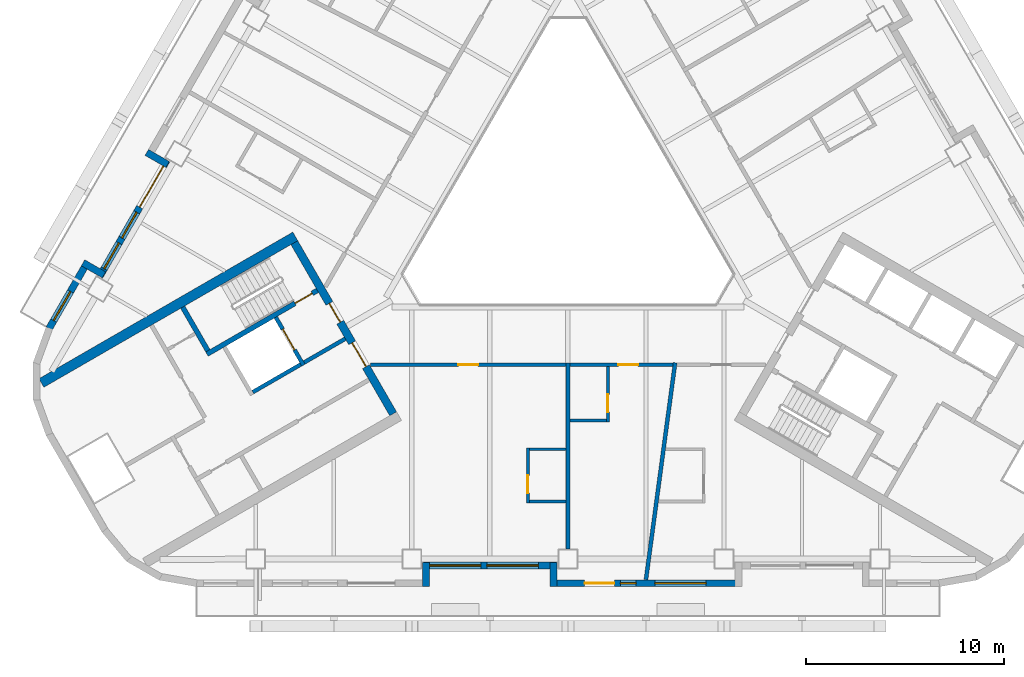
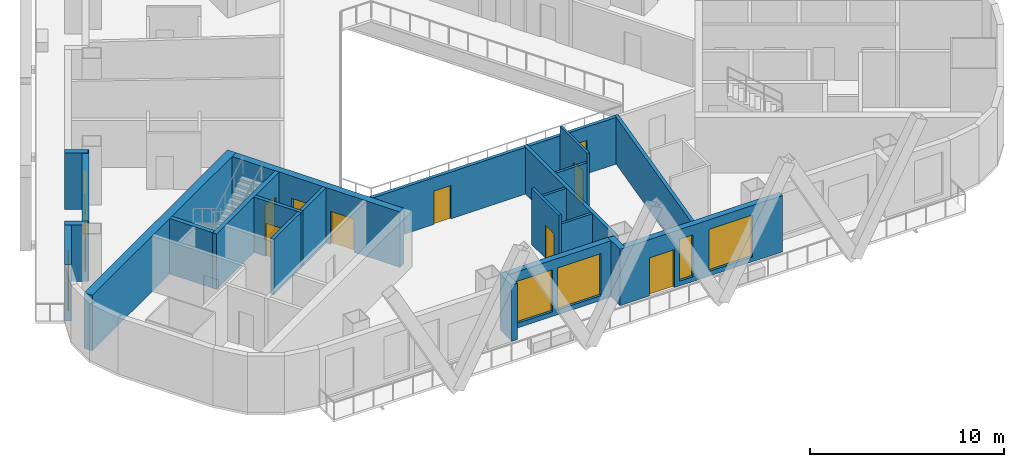
# One storey, part 3 of 13: 24 walls, 10 doors, 7 windows, 17 openings.
"""IFC4 building model written with IfcOpenShell, lengths in metres."""

from ifc_helpers import new_model, si_unit, direction, frame, frame_2d, origin, place, context, subcontext, project, spatial, rectangle, extrude, material, layer, layer_set, type_object, element, fill, save


model = new_model("IFC4")

# Units and contexts
model_context = context("Model", 3, precision=1e-05, world=origin(), true_north=direction((0.0, 1.0)))
body_context = subcontext(model_context, "Body", "Model", "MODEL_VIEW")
ifc_project = project(units=[si_unit("LENGTHUNIT", "METRE"), si_unit("AREAUNIT", "SQUARE_METRE"), si_unit("VOLUMEUNIT", "CUBIC_METRE"), si_unit("PLANEANGLEUNIT", "RADIAN"), si_unit("MASSUNIT", "GRAM", prefix="KILO")], contexts=[model_context])

# Site, building, storey
site_placement = place(None, origin())
site = spatial("IfcSite", under=ifc_project, at=site_placement, CompositionType="ELEMENT")
building_placement = place(site_placement, origin())
building = spatial("IfcBuilding", under=site, at=building_placement, Name="Apuvela Tower Hotel", CompositionType="ELEMENT")
storey_placement = place(building_placement, frame((0.0, 0.0, 68.699951171875)))
storey = spatial("IfcBuildingStorey", under=building, at=storey_placement, Name="L14", CompositionType="ELEMENT", Elevation=68.699951171875)

# Wall, openings, doors
ifc_material_1 = material(Name="Concrete C50/60", Category="concrete")
ifc_layer_1 = layer(ifc_material_1, 0.39990234375)
ifc_layer_set_1 = layer_set([ifc_layer_1], Name="COR-WALL-CORE-400")
wall_type_1 = type_object("IfcWallType", Name="COR-WALL-CORE-400", PredefinedType="SHEAR", material=ifc_layer_set_1)
wall_1_placement = place(storey_placement, frame((-13.844970703125, -2.219970703125, 0.0), z_axis=(0.0, 0.0, 1.0), x_axis=(0.500004234368, -0.866022959057, 0.0)))
wall_1 = element("IfcWall", 1, at=wall_1_placement, inside=storey, type_object=wall_type_1, Name="Core wall SW", PredefinedType="SHEAR", context=body_context, shape_type="SweptSolid", body=[
    extrude(rectangle(XDim=10.0, YDim=0.39990234375, at=frame_2d((5.0, 0.0))), origin(), (0.0, 0.0, 1.0), 3.5),
])
opening_1_placement = place(wall_1_placement, frame((3.550048828125, 0.0, 0.0)))
opening_1 = element("IfcOpeningElement", 2, at=opening_1_placement, cuts=wall_1, Name="Opening W-FD", PredefinedType="OPENING", context=body_context, shape_type="SweptSolid", body=[
    extrude(rectangle(XDim=1.10009765625, YDim=2.10009765625, at=frame_2d((0.550048828125, 1.050048828125))), frame((0.0, 0.2099609375, 0.0), z_axis=(0.0, -1.0, 0.0), x_axis=(1.0, 0.0, 0.0)), (0.0, 0.0, 1.0), 0.419921875),
])
opening_2_placement = place(wall_1_placement, frame((5.85009765625, 0.0, 0.0)))
opening_2 = element("IfcOpeningElement", 3, at=opening_2_placement, cuts=wall_1, Name="Opening W-GD", PredefinedType="OPENING", context=body_context, shape_type="SweptSolid", body=[
    extrude(rectangle(XDim=1.39990234375, YDim=2.10009765625, at=frame_2d((0.699951171875, 1.050048828125))), frame((0.0, 0.2099609375, 0.0), z_axis=(0.0, -1.0, 0.0), x_axis=(1.0, 0.0, 0.0)), (0.0, 0.0, 1.0), 0.419921875),
])
ifc_material_2 = material(Name="Steel fire door, powder coated", Category="steel")
door_type_1 = type_object("IfcDoorType", Name="COR-FD-1100", OperationType="NOTDEFINED", PredefinedType="DOOR", material=ifc_material_2)
door_1_placement = place(opening_1_placement, frame((1.10009765625, 0.0, 0.0), z_axis=(0.0, 0.0, 1.0), x_axis=(-1.0, 0.0, 0.0)))
door_1 = element("IfcDoor", 4, at=door_1_placement, inside=storey, type_object=door_type_1, Name="Firefighting lobby door W-FD", OperationType="SINGLE_SWING_LEFT", OverallHeight=2.10009765625, OverallWidth=1.10009765625, PredefinedType="DOOR", context=body_context, shape_type="SweptSolid", body=[
    extrude(rectangle(XDim=1.10009765625, YDim=2.10009765625, at=frame_2d((0.550048828125, 1.050048828125))), frame((0.0, 0.02490234375, 0.0), z_axis=(0.0, -1.0, 0.0), x_axis=(1.0, 0.0, 0.0)), (0.0, 0.0, 1.0), 0.050048828125),
])
fill(opening_1, door_1)
ifc_material_3 = material(Name="Glazed steel fire door", Category="steel")
door_type_2 = type_object("IfcDoorType", Name="COR-GD-1400", OperationType="DOUBLE_DOOR_SINGLE_SWING", PredefinedType="DOOR", material=ifc_material_3)
door_2_placement = place(opening_2_placement, frame((1.39990234375, 0.0, 0.0), z_axis=(0.0, 0.0, 1.0), x_axis=(-1.0, 0.0, 0.0)))
door_2 = element("IfcDoor", 5, at=door_2_placement, inside=storey, type_object=door_type_2, Name="Lift lobby door W-GD", OperationType="DOUBLE_DOOR_SINGLE_SWING", OverallHeight=2.10009765625, OverallWidth=1.39990234375, PredefinedType="DOOR", context=body_context, shape_type="SweptSolid", body=[
    extrude(rectangle(XDim=1.39990234375, YDim=2.10009765625, at=frame_2d((0.699951171875, 1.050048828125))), frame((0.0, 0.02490234375, 0.0), z_axis=(0.0, -1.0, 0.0), x_axis=(1.0, 0.0, 0.0)), (0.0, 0.0, 1.0), 0.050048828125),
])
fill(opening_2, door_2)

# Wall
ifc_layer_2 = layer(ifc_material_1, 0.5)
ifc_layer_set_2 = layer_set([ifc_layer_2], Name="COR-WALL-CORE-500")
wall_type_2 = type_object("IfcWallType", Name="COR-WALL-CORE-500", PredefinedType="SHEAR", material=ifc_layer_set_2)
wall_2_placement = place(storey_placement, frame((-13.796630859375, -1.9033203125, 0.0), z_axis=(0.0, 0.0, 1.0), x_axis=(-0.866025009528, -0.500000682871, 0.0)))
element("IfcWall", 6, at=wall_2_placement, inside=storey, type_object=wall_type_2, Name="Core wall SW", PredefinedType="SHEAR", context=body_context, shape_type="SweptSolid", body=[
    extrude(rectangle(XDim=14.8369140625, YDim=0.5, at=frame_2d((7.41845703125, 0.0))), origin(), (0.0, 0.0, 1.0), 3.5),
])

# Wall, opening, door
ifc_layer_3 = layer(ifc_material_1, 0.199951171875)
ifc_layer_set_3 = layer_set([ifc_layer_3], Name="COR-WALL-SHAFT-200")
wall_type_3 = type_object("IfcWallType", Name="COR-WALL-SHAFT-200", PredefinedType="SHEAR", material=ifc_layer_set_3)
wall_3_placement = place(storey_placement, frame((-14.783203125, -5.99462890625, 0.0), z_axis=(0.0, 0.0, 1.0), x_axis=(0.49994636267, -0.866056369097, 0.0)))
wall_3 = element("IfcWall", 7, at=wall_3_placement, inside=storey, type_object=wall_type_3, Name="Shaft wall SW", PredefinedType="SHEAR", context=body_context, shape_type="SweptSolid", body=[
    extrude(rectangle(XDim=2.800048828125, YDim=0.199951171875, at=frame_2d((1.39990234375, 0.0))), origin(), (0.0, 0.0, 1.0), 3.5),
])
opening_3_placement = place(wall_3_placement, frame((0.699951171875, 0.0, 0.0)))
opening_3 = element("IfcOpeningElement", 8, at=opening_3_placement, cuts=wall_3, Name="Opening W-LD-FS2", PredefinedType="OPENING", context=body_context, shape_type="SweptSolid", body=[
    extrude(rectangle(XDim=1.199951171875, YDim=2.10009765625, at=frame_2d((0.60009765625, 1.050048828125))), frame((0.0, 0.10986328125, 0.0), z_axis=(0.0, -1.0, 0.0), x_axis=(1.0, 0.0, 0.0)), (0.0, 0.0, 1.0), 0.219970703125),
])
ifc_material_4 = material(Name="Stainless steel lift landing door", Category="steel")
door_type_3 = type_object("IfcDoorType", Name="COR-LD-1200", OperationType="DOUBLE_DOOR_SLIDING", PredefinedType="DOOR", material=ifc_material_4)
door_3_placement = place(opening_3_placement, origin())
door_3 = element("IfcDoor", 9, at=door_3_placement, inside=storey, type_object=door_type_3, Name="Lift landing door W-LD-FS2", OperationType="DOUBLE_DOOR_SLIDING", OverallHeight=2.10009765625, OverallWidth=1.199951171875, PredefinedType="DOOR", context=body_context, shape_type="SweptSolid", body=[
    extrude(rectangle(XDim=1.199951171875, YDim=2.10009765625, at=frame_2d((0.60009765625, 1.050048828125))), frame((0.0, 0.02490234375, 0.0), z_axis=(0.0, -1.0, 0.0), x_axis=(1.0, 0.0, 0.0)), (0.0, 0.0, 1.0), 0.050048828125),
])
fill(opening_3, door_3)

# Walls
wall_4_placement = place(storey_placement, frame((-13.519775390625, -8.383056640625, 0.0), z_axis=(0.0, 0.0, 1.0), x_axis=(-0.866034573852, -0.49998411664, 0.0)))
element("IfcWall", 10, at=wall_4_placement, inside=storey, type_object=wall_type_3, Name="Shaft wall SW", PredefinedType="SHEAR", context=body_context, shape_type="SweptSolid", body=[
    extrude(rectangle(XDim=2.7998046875, YDim=0.199951171875, at=frame_2d((1.39990234375, 0.0))), origin(), (0.0, 0.0, 1.0), 3.5),
])
wall_5_placement = place(storey_placement, frame((-11.26806640625, -7.0830078125, 0.0), z_axis=(0.0, 0.0, 1.0), x_axis=(-0.866050077142, -0.499957262057, 0.0)))
element("IfcWall", 11, at=wall_5_placement, inside=storey, type_object=wall_type_3, Name="Shaft wall SW", PredefinedType="SHEAR", context=body_context, shape_type="SweptSolid", body=[
    extrude(rectangle(XDim=2.400146484375, YDim=0.199951171875, at=frame_2d((1.2001953125, 0.0))), origin(), (0.0, 0.0, 1.0), 3.5),
])

# Wall, opening, door
ifc_layer_4 = layer(ifc_material_1, 0.25)
ifc_layer_set_4 = layer_set([ifc_layer_4], Name="COR-WALL-STAIR-250")
wall_type_4 = type_object("IfcWallType", Name="COR-WALL-STAIR-250", PredefinedType="SHEAR", material=ifc_layer_set_4)
wall_6_placement = place(storey_placement, frame((-12.6806640625, -4.636474609375, 0.0), z_axis=(0.0, 0.0, 1.0), x_axis=(-0.866021702275, -0.500006411147, 0.0)))
wall_6 = element("IfcWall", 12, at=wall_6_placement, inside=storey, type_object=wall_type_4, Name="Stair wall SW", PredefinedType="SHEAR", context=body_context, shape_type="SweptSolid", body=[
    extrude(rectangle(XDim=6.4501953125, YDim=0.25, at=frame_2d((3.22509765625, 0.0))), origin(), (0.0, 0.0, 1.0), 3.5),
])
opening_4_placement = place(wall_6_placement, frame((0.300048828125, 0.0, 0.0)))
opening_4 = element("IfcOpeningElement", 13, at=opening_4_placement, cuts=wall_6, Name="Opening W-SD", PredefinedType="OPENING", context=body_context, shape_type="SweptSolid", body=[
    extrude(rectangle(XDim=1.0, YDim=2.10009765625, at=frame_2d((0.5, 1.050048828125))), frame((0.0, 0.135009765625, 0.0), z_axis=(0.0, -1.0, 0.0), x_axis=(1.0, 0.0, 0.0)), (0.0, 0.0, 1.0), 0.27001953125),
])
door_type_4 = type_object("IfcDoorType", Name="COR-SD-1000", OperationType="NOTDEFINED", PredefinedType="DOOR", material=ifc_material_2)
door_4_placement = place(opening_4_placement, frame((1.0, 0.0, 0.0), z_axis=(0.0, 0.0, 1.0), x_axis=(-1.0, 0.0, 0.0)))
door_4 = element("IfcDoor", 14, at=door_4_placement, inside=storey, type_object=door_type_4, Name="Stair door W-SD", OperationType="SINGLE_SWING_LEFT", OverallHeight=2.10009765625, OverallWidth=1.0, PredefinedType="DOOR", context=body_context, shape_type="SweptSolid", body=[
    extrude(rectangle(XDim=1.0, YDim=2.10009765625, at=frame_2d((0.5, 1.050048828125))), frame((0.0, 0.02490234375, 0.0), z_axis=(0.0, -1.0, 0.0), x_axis=(1.0, 0.0, 0.0)), (0.0, 0.0, 1.0), 0.050048828125),
])
fill(opening_4, door_4)

# Walls
wall_7_placement = place(storey_placement, frame((-19.49560546875, -5.482421875, 0.0), z_axis=(0.0, 0.0, 1.0), x_axis=(0.499990435942, -0.866030925526, 0.0)))
element("IfcWall", 15, at=wall_7_placement, inside=storey, type_object=wall_type_4, Name="Stair wall SW", PredefinedType="SHEAR", context=body_context, shape_type="SweptSolid", body=[
    extrude(rectangle(XDim=2.5498046875, YDim=0.25, at=frame_2d((1.27490234375, 0.0))), origin(), (0.0, 0.0, 1.0), 3.5),
])
ifc_material_5 = material(Name="Concrete C40/50, dark pigmented precast panel", Category="concrete")
ifc_layer_5 = layer(ifc_material_5, 0.35009765625)
ifc_layer_set_5 = layer_set([ifc_layer_5], Name="ENV-WALL-350")
wall_type_5 = type_object("IfcWallType", Name="ENV-WALL-350", PredefinedType="SOLIDWALL", material=ifc_layer_set_5)
wall_8_placement = place(storey_placement, frame((-21.3125, 2.345703125, 0.0), z_axis=(0.0, 0.0, 1.0), x_axis=(0.866005645448, -0.500034220881, 0.0)))
element("IfcWall", 16, at=wall_8_placement, inside=storey, type_object=wall_type_5, Name="External wall L14-06", PredefinedType="SOLIDWALL", context=body_context, shape_type="SweptSolid", body=[
    extrude(rectangle(XDim=1.22021484375, YDim=0.35009765625, at=frame_2d((0.610107421875, 0.0))), origin(), (0.0, 0.0, 1.0), 3.550048828125),
])

# Wall, openings, door, windows
wall_9_placement = place(storey_placement, frame((-20.30908203125, 1.93359375, 0.0), z_axis=(0.0, 0.0, 1.0), x_axis=(-0.499992114976, -0.866029956157, 0.0)))
wall_9 = element("IfcWall", 17, at=wall_9_placement, inside=storey, type_object=wall_type_5, Name="External wall L14-07", PredefinedType="SOLIDWALL", context=body_context, shape_type="SweptSolid", body=[
    extrude(rectangle(XDim=6.73974609375, YDim=0.35009765625, at=frame_2d((3.369873046875, 0.0))), origin(), (0.0, 0.0, 1.0), 3.550048828125),
])
opening_5_placement = place(wall_9_placement, frame((0.320068359375, 0.0, 0.0)))
opening_5 = element("IfcOpeningElement", 18, at=opening_5_placement, cuts=wall_9, Name="Opening BD24", PredefinedType="OPENING", context=body_context, shape_type="SweptSolid", body=[
    extrude(rectangle(XDim=2.39990234375, YDim=2.39990234375, at=frame_2d((1.199951171875, 1.199951171875))), frame((0.0, 0.18505859375, 0.0), z_axis=(0.0, -1.0, 0.0), x_axis=(1.0, 0.0, 0.0)), (0.0, 0.0, 1.0), 0.3701171875),
])
opening_6_placement = place(wall_9_placement, frame((3.02001953125, 0.0, 0.300048828125)))
opening_6 = element("IfcOpeningElement", 19, at=opening_6_placement, cuts=wall_9, Name="Opening WN15", PredefinedType="OPENING", context=body_context, shape_type="SweptSolid", body=[
    extrude(rectangle(XDim=1.5, YDim=2.64990234375, at=frame_2d((0.75, 1.324951171875))), frame((0.0, 0.18505859375, 0.0), z_axis=(0.0, -1.0, 0.0), x_axis=(1.0, 0.0, 0.0)), (0.0, 0.0, 1.0), 0.3701171875),
])
opening_7_placement = place(wall_9_placement, frame((4.820068359375, 0.0, 0.300048828125)))
opening_7 = element("IfcOpeningElement", 20, at=opening_7_placement, cuts=wall_9, Name="Opening WN15", PredefinedType="OPENING", context=body_context, shape_type="SweptSolid", body=[
    extrude(rectangle(XDim=1.5, YDim=2.64990234375, at=frame_2d((0.75, 1.324951171875))), frame((0.0, 0.18505859375, 0.0), z_axis=(0.0, -1.0, 0.0), x_axis=(1.0, 0.0, 0.0)), (0.0, 0.0, 1.0), 0.3701171875),
])
ifc_material_6 = material(Name="Aluminium 6063-T6, dark bronze anodised frame with dark tinted laminated glass", Category="aluminium")
door_type_5 = type_object("IfcDoorType", Name="ENV-DOOR-BALCONY-2400x2400", OperationType="SLIDING_TO_LEFT", PredefinedType="DOOR", material=ifc_material_6)
door_5_placement = place(opening_5_placement, frame((2.39990234375, 0.0, 0.0), z_axis=(0.0, 0.0, 1.0), x_axis=(-1.0, 0.0, 0.0)))
door_5 = element("IfcDoor", 21, at=door_5_placement, inside=storey, type_object=door_type_5, Name="Balcony door BD24", OperationType="SLIDING_TO_LEFT", OverallHeight=2.39990234375, OverallWidth=2.39990234375, PredefinedType="DOOR", context=body_context, shape_type="SweptSolid", body=[
    extrude(rectangle(XDim=2.39990234375, YDim=2.39990234375, at=frame_2d((1.199951171875, 1.199951171875))), frame((0.0, 0.02490234375, 0.0), z_axis=(0.0, -1.0, 0.0), x_axis=(1.0, 0.0, 0.0)), (0.0, 0.0, 1.0), 0.050048828125),
])
fill(opening_5, door_5)
ifc_material_7 = material(Name="Glass, dark tinted laminated insulated glazing unit", Category="glass")
window_type_1 = type_object("IfcWindowType", Name="ENV-WIN-1500x2650", PartitioningType="SINGLE_PANEL", PredefinedType="WINDOW", material=ifc_material_7)
window_1_placement = place(opening_6_placement, origin())
window_1 = element("IfcWindow", 22, at=window_1_placement, inside=storey, type_object=window_type_1, Name="Window WN15", OverallHeight=2.64990234375, OverallWidth=1.5, PartitioningType="SINGLE_PANEL", PredefinedType="WINDOW", context=body_context, shape_type="SweptSolid", body=[
    extrude(rectangle(XDim=1.5, YDim=2.64990234375, at=frame_2d((0.75, 1.324951171875))), frame((0.0, 0.030029296875, 0.0), z_axis=(0.0, -1.0, 0.0), x_axis=(1.0, 0.0, 0.0)), (0.0, 0.0, 1.0), 0.06005859375),
])
fill(opening_6, window_1)
window_2_placement = place(opening_7_placement, origin())
window_2 = element("IfcWindow", 23, at=window_2_placement, inside=storey, type_object=window_type_1, Name="Window WN15", OverallHeight=2.64990234375, OverallWidth=1.5, PartitioningType="SINGLE_PANEL", PredefinedType="WINDOW", context=body_context, shape_type="SweptSolid", body=[
    extrude(rectangle(XDim=1.5, YDim=2.64990234375, at=frame_2d((0.75, 1.324951171875))), frame((0.0, 0.030029296875, 0.0), z_axis=(0.0, -1.0, 0.0), x_axis=(1.0, 0.0, 0.0)), (0.0, 0.0, 1.0), 0.06005859375),
])
fill(opening_7, window_2)

# Wall
wall_10_placement = place(storey_placement, frame((-23.48095703125, -3.85009765625, 0.0), z_axis=(0.0, 0.0, 1.0), x_axis=(-0.866092288191, 0.499884134912, 0.0)))
element("IfcWall", 24, at=wall_10_placement, inside=storey, type_object=wall_type_5, Name="External wall L14-08", PredefinedType="SOLIDWALL", context=body_context, shape_type="SweptSolid", body=[
    extrude(rectangle(XDim=1.219970703125, YDim=0.35009765625, at=frame_2d((0.60986328125, 0.0))), origin(), (0.0, 0.0, 1.0), 3.550048828125),
])

# Wall, opening, window
wall_11_placement = place(storey_placement, frame((-24.298583984375, -3.17626953125, 0.0), z_axis=(0.0, 0.0, 1.0), x_axis=(-0.500028278809, -0.866009076391, 0.0)))
wall_11 = element("IfcWall", 25, at=wall_11_placement, inside=storey, type_object=wall_type_5, Name="External wall L14-09", PredefinedType="SOLIDWALL", context=body_context, shape_type="SweptSolid", body=[
    extrude(rectangle(XDim=3.915771484375, YDim=0.35009765625, at=frame_2d((1.9580078125, 0.0))), origin(), (0.0, 0.0, 1.0), 3.550048828125),
])
opening_8_placement = place(wall_11_placement, frame((1.750244140625, 0.0, 0.300048828125)))
opening_8 = element("IfcOpeningElement", 26, at=opening_8_placement, cuts=wall_11, Name="Opening WN17", PredefinedType="OPENING", context=body_context, shape_type="SweptSolid", body=[
    extrude(rectangle(XDim=1.699951171875, YDim=2.64990234375, at=frame_2d((0.85009765625, 1.324951171875))), frame((0.0, 0.18505859375, 0.0), z_axis=(0.0, -1.0, 0.0), x_axis=(1.0, 0.0, 0.0)), (0.0, 0.0, 1.0), 0.3701171875),
])
window_type_2 = type_object("IfcWindowType", Name="ENV-WIN-1700x2650", PartitioningType="SINGLE_PANEL", PredefinedType="WINDOW", material=ifc_material_7)
window_3_placement = place(opening_8_placement, origin())
window_3 = element("IfcWindow", 27, at=window_3_placement, inside=storey, type_object=window_type_2, Name="Window WN17", OverallHeight=2.64990234375, OverallWidth=1.699951171875, PartitioningType="SINGLE_PANEL", PredefinedType="WINDOW", context=body_context, shape_type="SweptSolid", body=[
    extrude(rectangle(XDim=1.699951171875, YDim=2.64990234375, at=frame_2d((0.85009765625, 1.324951171875))), frame((0.0, 0.030029296875, 0.0), z_axis=(0.0, -1.0, 0.0), x_axis=(1.0, 0.0, 0.0)), (0.0, 0.0, 1.0), 0.06005859375),
])
fill(opening_8, window_3)

# Wall
wall_12_placement = place(storey_placement, frame((-7.175048828125, -19.6298828125, 0.0), z_axis=(0.0, 0.0, 1.0), x_axis=(0.0, 1.0, 0.0)))
element("IfcWall", 28, at=wall_12_placement, inside=storey, type_object=wall_type_5, Name="External wall L14-18", PredefinedType="SOLIDWALL", context=body_context, shape_type="SweptSolid", body=[
    extrude(rectangle(XDim=1.219970703125, YDim=0.35009765625, at=frame_2d((0.60986328125, 0.0))), origin(), (0.0, 0.0, 1.0), 3.550048828125),
])

# Wall, openings, windows
wall_13_placement = place(storey_placement, frame((-7.320068359375, -18.554931640625, 0.0), z_axis=(0.0, 0.0, 1.0), x_axis=(1.0, 0.0, 0.0)))
wall_13 = element("IfcWall", 29, at=wall_13_placement, inside=storey, type_object=wall_type_5, Name="External wall L14-19", PredefinedType="SOLIDWALL", context=body_context, shape_type="SweptSolid", body=[
    extrude(rectangle(XDim=6.739990234375, YDim=0.35009765625, at=frame_2d((3.3701171875, 0.0))), origin(), (0.0, 0.0, 1.0), 3.550048828125),
])
opening_9_placement = place(wall_13_placement, frame((0.3203125, 0.0, 0.300048828125)))
opening_9 = element("IfcOpeningElement", 30, at=opening_9_placement, cuts=wall_13, Name="Opening WN26", PredefinedType="OPENING", context=body_context, shape_type="SweptSolid", body=[
    extrude(rectangle(XDim=2.60009765625, YDim=2.64990234375, at=frame_2d((1.300048828125, 1.324951171875))), frame((0.0, 0.18505859375, 0.0), z_axis=(0.0, -1.0, 0.0), x_axis=(1.0, 0.0, 0.0)), (0.0, 0.0, 1.0), 0.3701171875),
])
opening_10_placement = place(wall_13_placement, frame((3.220458984375, 0.0, 0.300048828125)))
opening_10 = element("IfcOpeningElement", 31, at=opening_10_placement, cuts=wall_13, Name="Opening WN26", PredefinedType="OPENING", context=body_context, shape_type="SweptSolid", body=[
    extrude(rectangle(XDim=2.60009765625, YDim=2.64990234375, at=frame_2d((1.300048828125, 1.324951171875))), frame((0.0, 0.18505859375, 0.0), z_axis=(0.0, -1.0, 0.0), x_axis=(1.0, 0.0, 0.0)), (0.0, 0.0, 1.0), 0.3701171875),
])
window_type_3 = type_object("IfcWindowType", Name="ENV-WIN-2600x2650", PartitioningType="SINGLE_PANEL", PredefinedType="WINDOW", material=ifc_material_7)
window_4_placement = place(opening_9_placement, origin())
window_4 = element("IfcWindow", 32, at=window_4_placement, inside=storey, type_object=window_type_3, Name="Window WN26", OverallHeight=2.64990234375, OverallWidth=2.60009765625, PartitioningType="SINGLE_PANEL", PredefinedType="WINDOW", context=body_context, shape_type="SweptSolid", body=[
    extrude(rectangle(XDim=2.60009765625, YDim=2.64990234375, at=frame_2d((1.300048828125, 1.324951171875))), frame((0.0, 0.030029296875, 0.0), z_axis=(0.0, -1.0, 0.0), x_axis=(1.0, 0.0, 0.0)), (0.0, 0.0, 1.0), 0.06005859375),
])
fill(opening_9, window_4)
window_5_placement = place(opening_10_placement, origin())
window_5 = element("IfcWindow", 33, at=window_5_placement, inside=storey, type_object=window_type_3, Name="Window WN26", OverallHeight=2.64990234375, OverallWidth=2.60009765625, PartitioningType="SINGLE_PANEL", PredefinedType="WINDOW", context=body_context, shape_type="SweptSolid", body=[
    extrude(rectangle(XDim=2.60009765625, YDim=2.64990234375, at=frame_2d((1.300048828125, 1.324951171875))), frame((0.0, 0.030029296875, 0.0), z_axis=(0.0, -1.0, 0.0), x_axis=(1.0, 0.0, 0.0)), (0.0, 0.0, 1.0), 0.06005859375),
])
fill(opening_10, window_5)

# Wall
wall_14_placement = place(storey_placement, frame((-0.72509765625, -18.409912109375, 0.0), z_axis=(0.0, 0.0, 1.0), x_axis=(0.0, -1.0, 0.0)))
element("IfcWall", 34, at=wall_14_placement, inside=storey, type_object=wall_type_5, Name="External wall L14-20", PredefinedType="SOLIDWALL", context=body_context, shape_type="SweptSolid", body=[
    extrude(rectangle(XDim=1.219970703125, YDim=0.35009765625, at=frame_2d((0.60986328125, 0.0))), origin(), (0.0, 0.0, 1.0), 3.550048828125),
])

# Wall, openings, door, windows
wall_15_placement = place(storey_placement, frame((-0.89990234375, -19.455078125, 0.0), z_axis=(0.0, 0.0, 1.0), x_axis=(1.0, 0.0, 0.0)))
wall_15 = element("IfcWall", 35, at=wall_15_placement, inside=storey, type_object=wall_type_5, Name="External wall L14-21", PredefinedType="SOLIDWALL", context=body_context, shape_type="SweptSolid", body=[
    extrude(rectangle(XDim=9.699951171875, YDim=0.35009765625, at=frame_2d((4.85009765625, 0.0))), origin(), (0.0, 0.0, 1.0), 3.550048828125),
])
opening_11_placement = place(wall_15_placement, frame((1.75, 0.0, 0.0)))
opening_11 = element("IfcOpeningElement", 36, at=opening_11_placement, cuts=wall_15, Name="Opening BD15", PredefinedType="OPENING", context=body_context, shape_type="SweptSolid", body=[
    extrude(rectangle(XDim=1.5, YDim=2.39990234375, at=frame_2d((0.75, 1.199951171875))), frame((0.0, 0.18505859375, 0.0), z_axis=(0.0, -1.0, 0.0), x_axis=(1.0, 0.0, 0.0)), (0.0, 0.0, 1.0), 0.3701171875),
])
opening_12_placement = place(wall_15_placement, frame((3.550048828125, 0.0, 0.300048828125)))
opening_12 = element("IfcOpeningElement", 37, at=opening_12_placement, cuts=wall_15, Name="Opening WN08", PredefinedType="OPENING", context=body_context, shape_type="SweptSolid", body=[
    extrude(rectangle(XDim=0.800048828125, YDim=2.64990234375, at=frame_2d((0.39990234375, 1.324951171875))), frame((0.0, 0.18505859375, 0.0), z_axis=(0.0, -1.0, 0.0), x_axis=(1.0, 0.0, 0.0)), (0.0, 0.0, 1.0), 0.3701171875),
])
opening_13_placement = place(wall_15_placement, frame((5.30078125, 0.0, 0.300048828125)))
opening_13 = element("IfcOpeningElement", 38, at=opening_13_placement, cuts=wall_15, Name="Opening WN26", PredefinedType="OPENING", context=body_context, shape_type="SweptSolid", body=[
    extrude(rectangle(XDim=2.60009765625, YDim=2.64990234375, at=frame_2d((1.300048828125, 1.324951171875))), frame((0.0, 0.18505859375, 0.0), z_axis=(0.0, -1.0, 0.0), x_axis=(1.0, 0.0, 0.0)), (0.0, 0.0, 1.0), 0.3701171875),
])
door_type_6 = type_object("IfcDoorType", Name="ENV-DOOR-BALCONY-1500x2400", OperationType="SLIDING_TO_LEFT", PredefinedType="DOOR", material=ifc_material_6)
door_6_placement = place(opening_11_placement, frame((1.5, 0.0, 0.0), z_axis=(0.0, 0.0, 1.0), x_axis=(-1.0, 0.0, 0.0)))
door_6 = element("IfcDoor", 39, at=door_6_placement, inside=storey, type_object=door_type_6, Name="Balcony door BD15", OperationType="SLIDING_TO_LEFT", OverallHeight=2.39990234375, OverallWidth=1.5, PredefinedType="DOOR", context=body_context, shape_type="SweptSolid", body=[
    extrude(rectangle(XDim=1.5, YDim=2.39990234375, at=frame_2d((0.75, 1.199951171875))), frame((0.0, 0.02490234375, 0.0), z_axis=(0.0, -1.0, 0.0), x_axis=(1.0, 0.0, 0.0)), (0.0, 0.0, 1.0), 0.050048828125),
])
fill(opening_11, door_6)
window_6_placement = place(opening_13_placement, origin())
window_6 = element("IfcWindow", 40, at=window_6_placement, inside=storey, type_object=window_type_3, Name="Window WN26", OverallHeight=2.64990234375, OverallWidth=2.60009765625, PartitioningType="SINGLE_PANEL", PredefinedType="WINDOW", context=body_context, shape_type="SweptSolid", body=[
    extrude(rectangle(XDim=2.60009765625, YDim=2.64990234375, at=frame_2d((1.300048828125, 1.324951171875))), frame((0.0, 0.030029296875, 0.0), z_axis=(0.0, -1.0, 0.0), x_axis=(1.0, 0.0, 0.0)), (0.0, 0.0, 1.0), 0.06005859375),
])
fill(opening_13, window_6)
window_type_4 = type_object("IfcWindowType", Name="ENV-WIN-800x2650", PartitioningType="SINGLE_PANEL", PredefinedType="WINDOW", material=ifc_material_7)
window_7_placement = place(opening_12_placement, origin())
window_7 = element("IfcWindow", 41, at=window_7_placement, inside=storey, type_object=window_type_4, Name="Window WN08", OverallHeight=2.64990234375, OverallWidth=0.800048828125, PartitioningType="SINGLE_PANEL", PredefinedType="WINDOW", context=body_context, shape_type="SweptSolid", body=[
    extrude(rectangle(XDim=0.800048828125, YDim=2.64990234375, at=frame_2d((0.39990234375, 1.324951171875))), frame((0.0, 0.030029296875, 0.0), z_axis=(0.0, -1.0, 0.0), x_axis=(1.0, 0.0, 0.0)), (0.0, 0.0, 1.0), 0.06005859375),
])
fill(opening_12, window_7)

# Walls
ifc_material_8 = material(Name="Gypsum board partition on twin steel stud", Category="steel")
ifc_layer_6 = layer(ifc_material_8, 0.199951171875)
ifc_layer_set_6 = layer_set([ifc_layer_6], Name="GST-PW1")
wall_type_6 = type_object("IfcWallType", Name="GST-PW1", PredefinedType="PARTITIONING", material=ifc_layer_set_6)
wall_16_placement = place(storey_placement, frame((0.0, -17.72998046875, 0.0), z_axis=(0.0, 0.0, 1.0), x_axis=(0.0, 1.0, 0.0)))
element("IfcWall", 42, at=wall_16_placement, inside=storey, type_object=wall_type_6, Name="L14 partition 01", PredefinedType="PARTITIONING", context=body_context, shape_type="SweptSolid", body=[
    extrude(rectangle(XDim=9.429931640625, YDim=0.199951171875, at=frame_2d((4.71484375, 0.0))), origin(), (0.0, 0.0, 1.0), 2.949951171875),
])
wall_17_placement = place(storey_placement, frame((3.949951171875, -19.280029296875, 0.0), z_axis=(0.0, 0.0, 1.0), x_axis=(0.133321271807, 0.991072872439, 0.0)))
element("IfcWall", 43, at=wall_17_placement, inside=storey, type_object=wall_type_6, Name="L14 partition 02", PredefinedType="PARTITIONING", context=body_context, shape_type="SweptSolid", body=[
    extrude(rectangle(XDim=11.078857421875, YDim=0.199951171875, at=frame_2d((5.53955078125, 0.0))), origin(), (0.0, 0.0, 1.0), 2.949951171875),
])

# Wall, opening, door
ifc_material_9 = material(Name="Gypsum board corridor wall on twin steel stud, acoustic", Category="steel")
ifc_layer_7 = layer(ifc_material_9, 0.199951171875)
ifc_layer_set_7 = layer_set([ifc_layer_7], Name="GST-PW2")
wall_type_7 = type_object("IfcWallType", Name="GST-PW2", PredefinedType="PARTITIONING", material=ifc_layer_set_7)
wall_18_placement = place(storey_placement, frame((-0.10009765625, -8.39990234375, 0.0), z_axis=(0.0, 0.0, 1.0), x_axis=(-1.0, 0.0, 0.0)))
wall_18 = element("IfcWall", 44, at=wall_18_placement, inside=storey, type_object=wall_type_7, Name="L14 partition 07", PredefinedType="PARTITIONING", context=body_context, shape_type="SweptSolid", body=[
    extrude(rectangle(XDim=9.88818359375, YDim=0.199951171875, at=frame_2d((4.944091796875, 0.0))), origin(), (0.0, 0.0, 1.0), 2.949951171875),
])
opening_14_placement = place(wall_18_placement, frame((4.444091796875, 0.0, 0.0)))
opening_14 = element("IfcOpeningElement", 45, at=opening_14_placement, cuts=wall_18, Name="Opening GD03-02", PredefinedType="OPENING", context=body_context, shape_type="SweptSolid", body=[
    extrude(rectangle(XDim=1.0, YDim=2.10009765625, at=frame_2d((0.5, 1.050048828125))), frame((0.0, 0.10986328125, 0.0), z_axis=(0.0, -1.0, 0.0), x_axis=(1.0, 0.0, 0.0)), (0.0, 0.0, 1.0), 0.219970703125),
])
ifc_material_10 = material(Name="Timber door leaf in steel frame", Category="steel")
door_type_7 = type_object("IfcDoorType", Name="GST-D1", OperationType="NOTDEFINED", PredefinedType="DOOR", material=ifc_material_10)
door_7_placement = place(opening_14_placement, origin())
door_7 = element("IfcDoor", 46, at=door_7_placement, inside=storey, type_object=door_type_7, Name="Door L14-02", OperationType="SINGLE_SWING_LEFT", OverallHeight=2.10009765625, OverallWidth=1.0, PredefinedType="DOOR", context=body_context, shape_type="SweptSolid", body=[
    extrude(rectangle(XDim=1.0, YDim=2.10009765625, at=frame_2d((0.5, 1.050048828125))), frame((0.0, 0.02490234375, 0.0), z_axis=(0.0, -1.0, 0.0), x_axis=(1.0, 0.0, 0.0)), (0.0, 0.0, 1.0), 0.050048828125),
])
fill(opening_14, door_7)

wall_19_placement = place(storey_placement, frame((5.3125, -8.39990234375, 0.0), z_axis=(0.0, 0.0, 1.0), x_axis=(-1.0, 0.0, 0.0)))
wall_19 = element("IfcWall", 47, at=wall_19_placement, inside=storey, type_object=wall_type_7, Name="L14 partition 11", PredefinedType="PARTITIONING", context=body_context, shape_type="SweptSolid", body=[
    extrude(rectangle(XDim=5.21240234375, YDim=0.199951171875, at=frame_2d((2.606201171875, 0.0))), origin(), (0.0, 0.0, 1.0), 2.949951171875),
])
opening_15_placement = place(wall_19_placement, frame((1.7626953125, 0.0, 0.0)))
opening_15 = element("IfcOpeningElement", 48, at=opening_15_placement, cuts=wall_19, Name="Opening GD03-04", PredefinedType="OPENING", context=body_context, shape_type="SweptSolid", body=[
    extrude(rectangle(XDim=1.0, YDim=2.10009765625, at=frame_2d((0.5, 1.050048828125))), frame((0.0, 0.10986328125, 0.0), z_axis=(0.0, -1.0, 0.0), x_axis=(1.0, 0.0, 0.0)), (0.0, 0.0, 1.0), 0.219970703125),
])
door_8_placement = place(opening_15_placement, origin())
door_8 = element("IfcDoor", 49, at=door_8_placement, inside=storey, type_object=door_type_7, Name="Door L14-04", OperationType="SINGLE_SWING_LEFT", OverallHeight=2.10009765625, OverallWidth=1.0, PredefinedType="DOOR", context=body_context, shape_type="SweptSolid", body=[
    extrude(rectangle(XDim=1.0, YDim=2.10009765625, at=frame_2d((0.5, 1.050048828125))), frame((0.0, 0.02490234375, 0.0), z_axis=(0.0, -1.0, 0.0), x_axis=(1.0, 0.0, 0.0)), (0.0, 0.0, 1.0), 0.050048828125),
])
fill(opening_15, door_8)

ifc_material_11 = material(Name="Moisture-resistant gypsum board wet wall on steel stud", Category="steel")
ifc_layer_8 = layer(ifc_material_11, 0.14990234375)
ifc_layer_set_8 = layer_set([ifc_layer_8], Name="GST-PW3")
wall_type_8 = type_object("IfcWallType", Name="GST-PW3", PredefinedType="PARTITIONING", material=ifc_layer_set_8)
wall_20_placement = place(storey_placement, frame((-2.02490234375, -12.60009765625, 0.0), z_axis=(0.0, 0.0, 1.0), x_axis=(0.0, -1.0, 0.0)))
wall_20 = element("IfcWall", 50, at=wall_20_placement, inside=storey, type_object=wall_type_8, Name="L14 partition 08", PredefinedType="PARTITIONING", context=body_context, shape_type="SweptSolid", body=[
    extrude(rectangle(XDim=2.7998046875, YDim=0.14990234375, at=frame_2d((1.39990234375, 0.0))), origin(), (0.0, 0.0, 1.0), 3.550048828125),
])
opening_16_placement = place(wall_20_placement, frame((1.39990234375, 0.0, 0.0)))
opening_16 = element("IfcOpeningElement", 51, at=opening_16_placement, cuts=wall_20, Name="Opening GD03-01", PredefinedType="OPENING", context=body_context, shape_type="SweptSolid", body=[
    extrude(rectangle(XDim=0.89990234375, YDim=2.10009765625, at=frame_2d((0.449951171875, 1.050048828125))), frame((0.0, 0.0849609375, 0.0), z_axis=(0.0, -1.0, 0.0), x_axis=(1.0, 0.0, 0.0)), (0.0, 0.0, 1.0), 0.169921875),
])
door_type_8 = type_object("IfcDoorType", Name="GST-D2", OperationType="NOTDEFINED", PredefinedType="DOOR", material=ifc_material_10)
door_9_placement = place(opening_16_placement, origin())
door_9 = element("IfcDoor", 52, at=door_9_placement, inside=storey, type_object=door_type_8, Name="Door L14-01", OperationType="SINGLE_SWING_RIGHT", OverallHeight=2.10009765625, OverallWidth=0.89990234375, PredefinedType="DOOR", context=body_context, shape_type="SweptSolid", body=[
    extrude(rectangle(XDim=0.89990234375, YDim=2.10009765625, at=frame_2d((0.449951171875, 1.050048828125))), frame((0.0, 0.02490234375, 0.0), z_axis=(0.0, -1.0, 0.0), x_axis=(1.0, 0.0, 0.0)), (0.0, 0.0, 1.0), 0.050048828125),
])
fill(opening_16, door_9)

# Walls
for number, where, z_axis, x_axis, name in (
    (53, (-1.949951171875, -15.324951171875, 0.0), (0.0, 0.0, 1.0), (1.0, 0.0, 0.0), "L14 partition 09"),
    (54, (-1.949951171875, -12.675048828125, 0.0), (0.0, 0.0, 1.0), (1.0, 0.0, 0.0), "L14 partition 10"),
):
    element("IfcWall", number, at=place(storey_placement, frame(where, z_axis=z_axis, x_axis=x_axis)), inside=storey, type_object=wall_type_8, Name=name, PredefinedType="PARTITIONING", context=body_context, shape_type="SweptSolid", body=[
        extrude(rectangle(XDim=1.849853515625, YDim=0.14990234375, at=frame_2d((0.9248046875, 0.0))), origin(), (0.0, 0.0, 1.0), 2.949951171875),
    ])

# Wall, opening, door
wall_21_placement = place(storey_placement, frame((2.02490234375, -11.300048828125, 0.0), z_axis=(0.0, 0.0, 1.0), x_axis=(0.0, 1.0, 0.0)))
wall_21 = element("IfcWall", 55, at=wall_21_placement, inside=storey, type_object=wall_type_8, Name="L14 partition 12", PredefinedType="PARTITIONING", context=body_context, shape_type="SweptSolid", body=[
    extrude(rectangle(XDim=2.800048828125, YDim=0.14990234375, at=frame_2d((1.39990234375, 0.0))), origin(), (0.0, 0.0, 1.0), 3.550048828125),
])
opening_17_placement = place(wall_21_placement, frame((0.5, 0.0, 0.0)))
opening_17 = element("IfcOpeningElement", 56, at=opening_17_placement, cuts=wall_21, Name="Opening GD03-03", PredefinedType="OPENING", context=body_context, shape_type="SweptSolid", body=[
    extrude(rectangle(XDim=0.89990234375, YDim=2.10009765625, at=frame_2d((0.449951171875, 1.050048828125))), frame((0.0, 0.0849609375, 0.0), z_axis=(0.0, -1.0, 0.0), x_axis=(1.0, 0.0, 0.0)), (0.0, 0.0, 1.0), 0.169921875),
])
door_10_placement = place(opening_17_placement, origin())
door_10 = element("IfcDoor", 57, at=door_10_placement, inside=storey, type_object=door_type_8, Name="Door L14-03", OperationType="SINGLE_SWING_LEFT", OverallHeight=2.10009765625, OverallWidth=0.89990234375, PredefinedType="DOOR", context=body_context, shape_type="SweptSolid", body=[
    extrude(rectangle(XDim=0.89990234375, YDim=2.10009765625, at=frame_2d((0.449951171875, 1.050048828125))), frame((0.0, 0.02490234375, 0.0), z_axis=(0.0, -1.0, 0.0), x_axis=(1.0, 0.0, 0.0)), (0.0, 0.0, 1.0), 0.050048828125),
])
fill(opening_17, door_10)

# Wall
wall_22_placement = place(storey_placement, frame((0.10009765625, -11.22509765625, 0.0), z_axis=(0.0, 0.0, 1.0), x_axis=(1.0, 0.0, 0.0)))
element("IfcWall", 58, at=wall_22_placement, inside=storey, type_object=wall_type_8, Name="L14 partition 13", PredefinedType="PARTITIONING", context=body_context, shape_type="SweptSolid", body=[
    extrude(rectangle(XDim=1.849853515625, YDim=0.14990234375, at=frame_2d((0.9248046875, 0.0))), origin(), (0.0, 0.0, 1.0), 2.949951171875),
])

save(model, "model.ifc")
